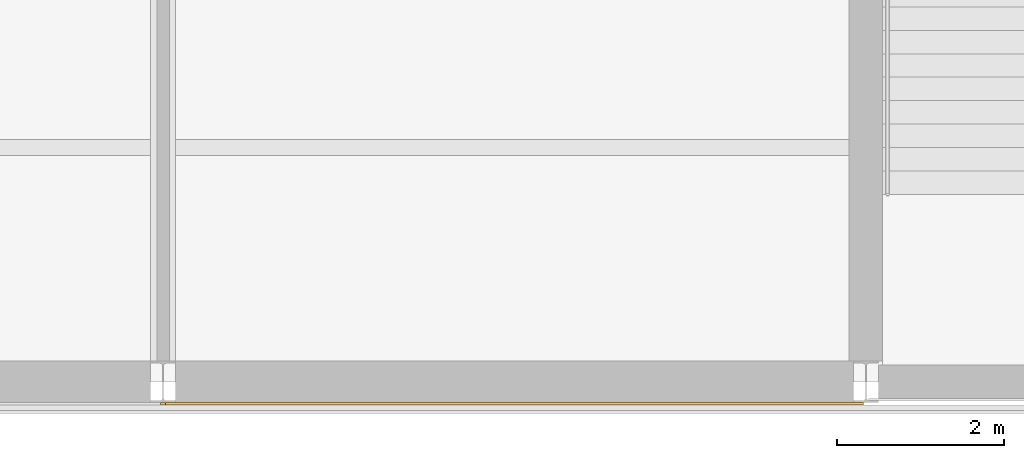
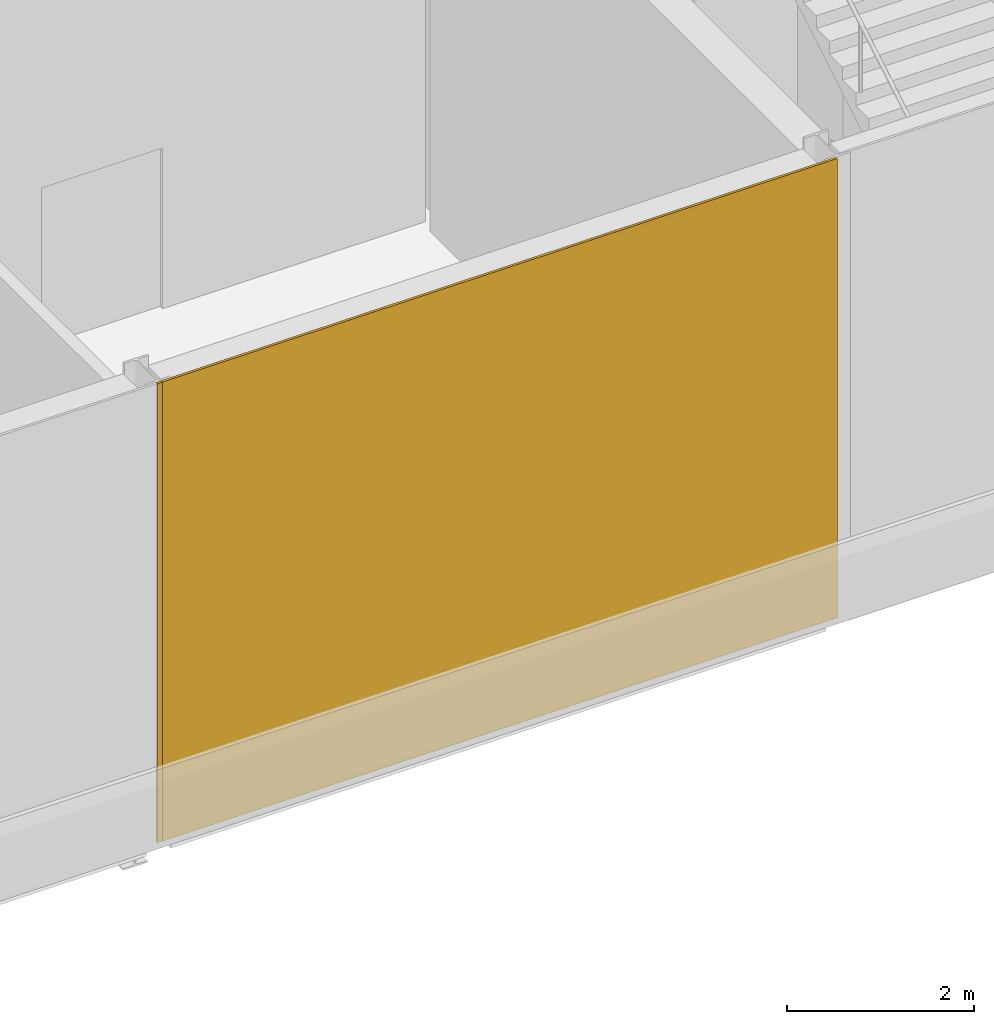
# One storey, part 41 of 55: 2 coverings.
"""IFC4 building model written with IfcOpenShell, lengths in metres."""

import ifcopenshell
import ifcopenshell.guid

model = None  # the IFC model being written
_history = None  # IfcOwnerHistory: only IFC2X3 demands one
_inside = {}  # id of a spatial element -> (the spatial element, [elements in it])
_under = {}  # id of a project, library or spatial element -> (it, [spatial elements below it])
_declared = {}  # id of a project -> (the project, [libraries it declares])
_typed = {}  # id of a type object -> (the type object, [elements of that type])
_made_of = {}  # id of a material, layer set ... -> (it, [elements and type objects made of it])


def new_model(schema):
    """Start an empty IFC model of exactly this schema.

    Asked for "IFC4X3", IfcOpenShell would pick the latest addendum, in which some entities
    have other attributes; the version numbers below select the first issue.
    IFC2X3 requires an IfcOwnerHistory on every rooted entity: one is made here for all.
    """
    global model, _history
    if schema == "IFC4X3":
        model = ifcopenshell.file(schema_version=(4, 3, 0, 0))
    else:
        model = ifcopenshell.file(schema=schema)
    _inside.clear()
    _under.clear()
    _declared.clear()
    _typed.clear()
    _made_of.clear()
    _history = None
    if model.schema == "IFC2X3":
        org = make("IfcOrganization", Name="unknown")
        user = make(
            "IfcPersonAndOrganization",
            ThePerson=make("IfcPerson", FamilyName="unknown"),
            TheOrganization=org,
        )
        app = make(
            "IfcApplication",
            ApplicationDeveloper=org,
            Version="unknown",
            ApplicationFullName="unknown",
            ApplicationIdentifier="unknown",
        )
        _history = make(
            "IfcOwnerHistory",
            OwningUser=user,
            OwningApplication=app,
            ChangeAction="ADDED",
            CreationDate=0,
        )
    return model


def make(cls, **values):
    """One entity of the class cls with the attributes given. An attribute that is None is left unset."""
    return model.create_entity(
        cls, **{name: value for name, value in values.items() if value is not None}
    )


def rooted(cls, **values):
    """An entity with a GlobalId (a new one), such as an element, a storey or a relation."""
    return make(cls, GlobalId=ifcopenshell.guid.new(), OwnerHistory=_history, **values)


def si_unit(unit_type, name, prefix=None):
    """IfcSIUnit, for example si_unit("LENGTHUNIT", "METRE", prefix="MILLI")."""
    return make("IfcSIUnit", UnitType=unit_type, Prefix=prefix, Name=name)


def assignment(units):
    """IfcUnitAssignment: the units of a project."""
    return None if units is None else make("IfcUnitAssignment", Units=units)


def point(xyz):
    """IfcCartesianPoint."""
    return None if xyz is None else make("IfcCartesianPoint", Coordinates=xyz)


def direction(xyz):
    """IfcDirection."""
    return None if xyz is None else make("IfcDirection", DirectionRatios=xyz)


def frame(location, z_axis=None, x_axis=None):
    """IfcAxis2Placement3D, a coordinate frame: its origin and axes. An axis left out is left unset."""
    return make(
        "IfcAxis2Placement3D",
        Location=point(location),
        Axis=direction(z_axis),
        RefDirection=direction(x_axis),
    )


def frame_2d(location, x_axis=None):
    """IfcAxis2Placement2D, a coordinate frame in the plane: its origin and x axis."""
    return make(
        "IfcAxis2Placement2D", Location=point(location), RefDirection=direction(x_axis)
    )


def origin():
    """The frame at (0, 0, 0) with its axes left unset."""
    return frame((0.0, 0.0, 0.0))


def origin_2d():
    """The frame at (0, 0) in the plane with its x axis left unset."""
    return frame_2d((0.0, 0.0))


def place(relative_to, where):
    """IfcLocalPlacement: puts the frame where relative to a parent placement (None: the world)."""
    return make(
        "IfcLocalPlacement", PlacementRelTo=relative_to, RelativePlacement=where
    )


def context(
    kind, dimensions, precision=None, world=None, true_north=None, identifier=None
):
    """IfcGeometricRepresentationContext, for example the 3D "Model" context."""
    return make(
        "IfcGeometricRepresentationContext",
        ContextIdentifier=identifier,
        ContextType=kind,
        CoordinateSpaceDimension=dimensions,
        Precision=precision,
        WorldCoordinateSystem=world,
        TrueNorth=true_north,
    )


def subcontext(parent, identifier, kind, view, scale=None):
    """IfcGeometricRepresentationSubContext, for example "Body" below "Model"."""
    return make(
        "IfcGeometricRepresentationSubContext",
        ContextIdentifier=identifier,
        ContextType=kind,
        ParentContext=parent,
        TargetScale=scale,
        TargetView=view,
    )


def project(units=None, contexts=None):
    """IfcProject with its units and contexts."""
    return rooted(
        "IfcProject",
        Name="project",
        RepresentationContexts=contexts,
        UnitsInContext=assignment(units),
    )


def spatial(cls, under=None, at=None, **own):
    """A site, building, storey or space (cls), placed at a placement, below another one or the project."""
    s = rooted(cls, ObjectPlacement=at, **own)
    if under is not None:
        _under.setdefault(under.id(), (under, []))[1].append(s)
    return s


def profile(cls, at=None, kind="AREA", **sizes):
    """A parametric profile (cls). Its sizes go by their IFC names, for example OverallWidth=200.0."""
    return make(cls, ProfileType=kind, Position=at, **sizes)


def rectangle(**sizes):
    """IfcRectangleProfileDef."""
    return profile("IfcRectangleProfileDef", **sizes)


def extrude(swept, where, along, depth):
    """IfcExtrudedAreaSolid: the profile swept, set in the frame where, extruded along a direction by depth."""
    return make(
        "IfcExtrudedAreaSolid",
        SweptArea=swept,
        Position=where,
        ExtrudedDirection=direction(along),
        Depth=depth,
    )


def shape(context_of_items, identifier, shape_type, items):
    """IfcShapeRepresentation: the items that make up one representation, for example the "Body"."""
    return make(
        "IfcShapeRepresentation",
        ContextOfItems=context_of_items,
        RepresentationIdentifier=identifier,
        RepresentationType=shape_type,
        Items=items,
    )


def material(Name=None, Category=None):
    """IfcMaterial."""
    return make("IfcMaterial", Name=Name, Category=Category)


def layer(
    of_material, thickness, ventilated=None, Name=None, Category=None, Priority=None
):
    """IfcMaterialLayer: one layer of a wall or slab, of a material (None: an air gap)."""
    return make(
        "IfcMaterialLayer",
        Material=of_material,
        LayerThickness=thickness,
        IsVentilated=ventilated,
        Name=Name,
        Category=Category,
        Priority=Priority,
    )


def layer_set(layers, Name=None):
    """IfcMaterialLayerSet."""
    return make("IfcMaterialLayerSet", MaterialLayers=layers, LayerSetName=Name)


def made_of(thing, what):
    """Note that an element or type object is made of a material, layer set ...; save() writes the relation."""
    if what is not None:
        _made_of.setdefault(what.id(), (what, []))[1].append(thing)
    return thing


def type_object(cls, material=None, **own):
    """A type object (cls), such as IfcWallType, which elements share."""
    return made_of(rooted(cls, **own), material)


def element(
    cls,
    number,
    at=None,
    inside=None,
    cuts=None,
    type_object=None,
    material=None,
    context=None,
    identifier="Body",
    shape_type=None,
    held_by="IfcProductDefinitionShape",
    body=None,
    shapes=None,
    **own,
):
    """One element of the class cls, such as IfcWall. Its Tag is "e" and its number.

    at: its placement. inside: the storey or other place that contains it. cuts: it is an
    opening in that element (IfcRelVoidsElement). A single representation is given by context,
    identifier, shape_type and body (its items); several are given by shapes. held_by: the class
    of the entity that holds the representations. save() writes the other relations.
    """
    e = rooted(cls, Tag="e%d" % number, ObjectPlacement=at, **own)
    if body is not None:
        shapes = [shape(context, identifier, shape_type, body)]
    if shapes is not None:
        e.Representation = make(held_by, Representations=shapes)
    if inside is not None:
        _inside.setdefault(inside.id(), (inside, []))[1].append(e)
    if cuts is not None:
        rooted(
            "IfcRelVoidsElement", RelatingBuildingElement=cuts, RelatedOpeningElement=e
        )
    if type_object is not None:
        _typed.setdefault(type_object.id(), (type_object, []))[1].append(e)
    return made_of(e, material)


def aggregate(whole, parts):
    """IfcRelAggregates: a whole, such as a stair, and the parts it consists of."""
    return rooted("IfcRelAggregates", RelatingObject=whole, RelatedObjects=parts)


def save(model, path):
    """Write the relations noted so far, then the file.

    IfcRelAggregates (storeys below a building ...), IfcRelContainedInSpatialStructure (elements
    in a storey), IfcRelDefinesByType, IfcRelAssociatesMaterial and IfcRelDeclares: one each for
    every whole, place, type object, material and project.
    """
    for whole, parts in _under.values():
        aggregate(whole, parts)
    for where, things in _inside.values():
        rooted(
            "IfcRelContainedInSpatialStructure",
            RelatedElements=things,
            RelatingStructure=where,
        )
    for kind, things in _typed.values():
        rooted("IfcRelDefinesByType", RelatedObjects=things, RelatingType=kind)
    for what, things in _made_of.values():
        rooted("IfcRelAssociatesMaterial", RelatedObjects=things, RelatingMaterial=what)
    for by, libraries in _declared.values():
        rooted("IfcRelDeclares", RelatingContext=by, RelatedDefinitions=libraries)
    model.write(path)


model = new_model("IFC4")

# Units and contexts
model_context = context("Model", 3, precision=1e-05, world=origin(), true_north=direction((0.0, 1.0)))
body_context = subcontext(model_context, "Body", "Model", "MODEL_VIEW")
ifc_project = project(units=[si_unit("LENGTHUNIT", "METRE"), si_unit("AREAUNIT", "SQUARE_METRE"), si_unit("VOLUMEUNIT", "CUBIC_METRE"), si_unit("PLANEANGLEUNIT", "RADIAN"), si_unit("MASSUNIT", "GRAM", prefix="KILO")], contexts=[model_context])

# Site, building, storey
site_placement = place(None, origin())
site = spatial("IfcSite", under=ifc_project, at=site_placement, CompositionType="ELEMENT")
building_placement = place(site_placement, origin())
building = spatial("IfcBuilding", under=site, at=building_placement, Name="Galleria Vessillo Department Store", CompositionType="ELEMENT")
storey_placement = place(building_placement, origin())
storey = spatial("IfcBuildingStorey", under=building, at=storey_placement, Name="L00", CompositionType="ELEMENT", Elevation=0.0)

# Coverings
ifc_material = material(Name="Lime plaster (intonaco) ochre")
ifc_layer = layer(ifc_material, 0.030029296875)
ifc_layer_set = layer_set([ifc_layer], Name="Lime plaster (intonaco) ochre")
covering_type = type_object("IfcCoveringType", Name="Lime plaster render 30 mm", PredefinedType="CLADDING", material=ifc_layer_set)
covering_1_placement = place(storey_placement, frame((29.39990234375, -0.264892578125, 0.0), z_axis=(0.0, 0.0, 1.0), x_axis=(1.0, 0.0, 0.0)))
element("IfcCovering", 1, at=covering_1_placement, inside=storey, type_object=covering_type, Name="Wall cladding S-PS-L00-03", PredefinedType="CLADDING", context=body_context, shape_type="SweptSolid", body=[
    extrude(rectangle(XDim=8.34033203125, YDim=0.030029296875, at=origin_2d()), origin(), (0.0, 0.0, 1.0), 6.0),
])
covering_2_placement = place(storey_placement, frame((25.199951171875, -0.264892578125, 0.0), z_axis=(0.0, 0.0, 1.0), x_axis=(1.0, 0.0, 0.0)))
element("IfcCovering", 2, at=covering_2_placement, inside=storey, type_object=covering_type, Name="Joint block Wall cladding S-PS-L00-02", PredefinedType="CLADDING", context=body_context, shape_type="SweptSolid", body=[
    extrude(rectangle(XDim=0.059814453125, YDim=0.030029296875, at=origin_2d()), origin(), (0.0, 0.0, 1.0), 6.0),
])

save(model, "model.ifc")
